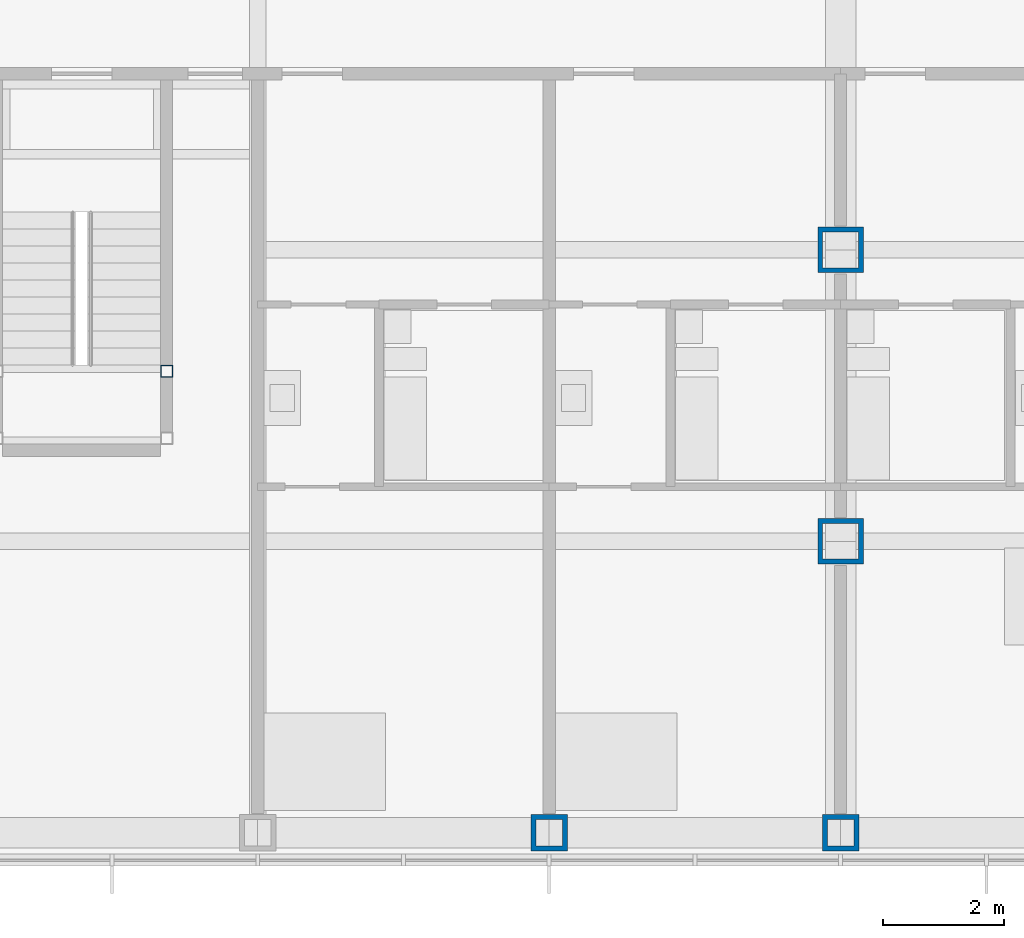
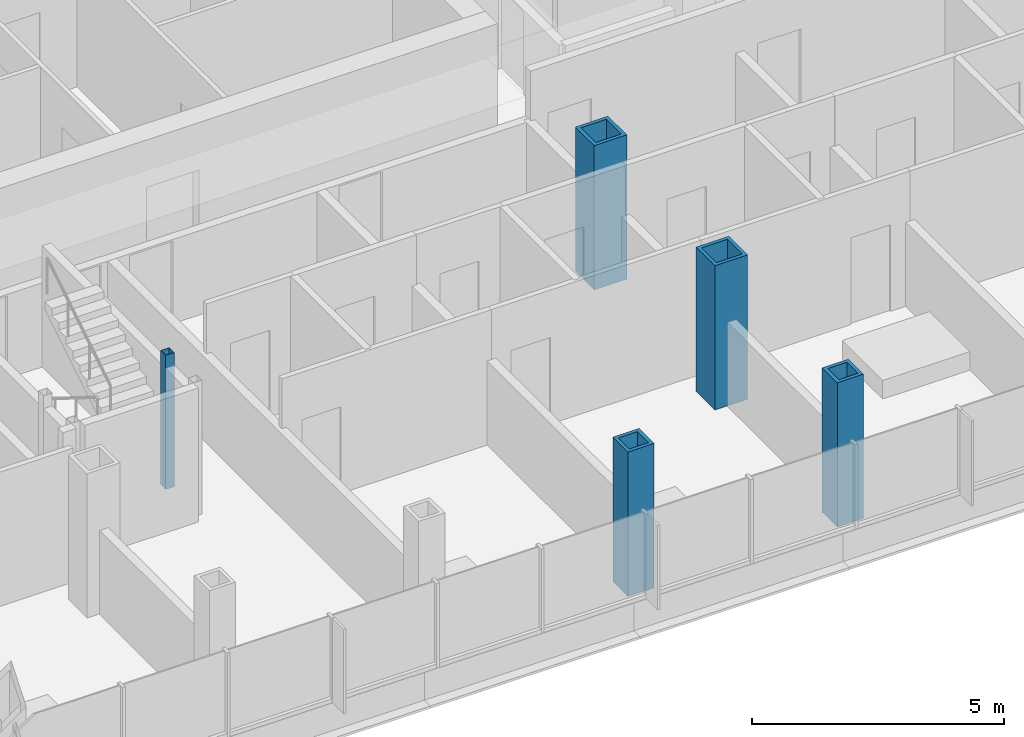
# One storey, part 2 of 22: 5 columns.
"""IFC4 building model written with IfcOpenShell, lengths in metres."""

from ifc_helpers import new_model, si_unit, direction, frame, origin, origin_2d, place, context, subcontext, project, spatial, hollow_rectangle, extrude, material, material_profile, profile_set, type_object, element, save


model = new_model("IFC4")

# Units and contexts
model_context = context("Model", 3, precision=1e-05, world=origin(), true_north=direction((0.0, 1.0)))
body_context = subcontext(model_context, "Body", "Model", "MODEL_VIEW")
ifc_project = project(units=[si_unit("LENGTHUNIT", "METRE"), si_unit("AREAUNIT", "SQUARE_METRE"), si_unit("VOLUMEUNIT", "CUBIC_METRE"), si_unit("PLANEANGLEUNIT", "RADIAN"), si_unit("MASSUNIT", "GRAM", prefix="KILO")], contexts=[model_context])

# Site, building, storey
site_placement = place(None, origin())
site = spatial("IfcSite", under=ifc_project, at=site_placement, CompositionType="ELEMENT")
building_placement = place(site_placement, origin())
building = spatial("IfcBuilding", under=site, at=building_placement, Name="Kvirike Care Tower", CompositionType="ELEMENT")
storey_placement = place(building_placement, frame((0.0, 0.0, 76.0)))
storey = spatial("IfcBuildingStorey", under=building, at=storey_placement, Name="L20", CompositionType="ELEMENT", Elevation=76.0)

# Columns
ifc_material_1 = material(Name="Steel S460", Category="steel")
ifc_material_profile_1 = material_profile(ifc_material_1, hollow_rectangle(XDim=0.60009765625, YDim=0.60009765625, WallThickness=0.080078125, at=origin_2d()), Name="BX 600x600x80")
ifc_profile_set_1 = profile_set([ifc_material_profile_1], Name="Steel S460")
column_type_1 = type_object("IfcColumnType", Name="COLUMN BX 600x600x80", PredefinedType="COLUMN", material=ifc_profile_set_1)
for number, where, z_axis, x_axis, name in (
    (1, (24.0, 14.39990234375, 0.0), (0.0, 0.0, 1.0), (0.0, 1.0, 0.0), "Column D8 L20"),
    (2, (28.800048828125, 14.39990234375, 0.0), (0.0, 0.0, 1.0), (0.0, 1.0, 0.0), "Column D9 L20"),
):
    element("IfcColumn", number, at=place(storey_placement, frame(where, z_axis=z_axis, x_axis=x_axis)), inside=storey, type_object=column_type_1, Name=name, PredefinedType="COLUMN", context=body_context, shape_type="SweptSolid", body=[
        extrude(hollow_rectangle(XDim=0.60009765625, YDim=0.60009765625, WallThickness=0.080078125, at=origin_2d()), origin(), (0.0, 0.0, 1.0), 3.5),
    ])
ifc_material_2 = material(Name="Steel S460", Category="steel")
ifc_material_profile_2 = material_profile(ifc_material_2, hollow_rectangle(XDim=0.75, YDim=0.75, WallThickness=0.080078125, at=origin_2d()), Name="BX 750x750x80")
ifc_profile_set_2 = profile_set([ifc_material_profile_2], Name="Steel S460")
column_type_2 = type_object("IfcColumnType", Name="COLUMN BX 750x750x80", PredefinedType="COLUMN", material=ifc_profile_set_2)
for number, where, z_axis, x_axis, name in (
    (3, (28.800048828125, 19.199951171875, 0.0), (0.0, 0.0, 1.0), (1.0, 0.0, 0.0), "Column E9 L20"),
    (4, (28.800048828125, 24.0, 0.0), (0.0, 0.0, 1.0), (1.0, 0.0, 0.0), "Column F9 L20"),
):
    element("IfcColumn", number, at=place(storey_placement, frame(where, z_axis=z_axis, x_axis=x_axis)), inside=storey, type_object=column_type_2, Name=name, PredefinedType="COLUMN", context=body_context, shape_type="SweptSolid", body=[
        extrude(hollow_rectangle(XDim=0.75, YDim=0.75, WallThickness=0.080078125, at=origin_2d()), origin(), (0.0, 0.0, 1.0), 3.5),
    ])
ifc_material_3 = material(Name="Steel S460", Category="steel")
ifc_material_profile_3 = material_profile(ifc_material_3, hollow_rectangle(XDim=0.199951171875, YDim=0.199951171875, WallThickness=0.008056640625, at=origin_2d()), Name="SHS 200x200x8")
ifc_profile_set_3 = profile_set([ifc_material_profile_3], Name="Steel S460")
column_type_3 = type_object("IfcColumnType", Name="STAIR POST SHS 200x200x8", PredefinedType="COLUMN", material=ifc_profile_set_3)
column_placement = place(storey_placement, frame((17.699951171875, 22.0, 0.0), z_axis=(0.0, 0.0, 1.0), x_axis=(1.0, 0.0, 0.0)))
element("IfcColumn", 5, at=column_placement, inside=storey, type_object=column_type_3, Name="Stair 5 post 4 L20", PredefinedType="COLUMN", context=body_context, shape_type="SweptSolid", body=[
    extrude(hollow_rectangle(XDim=0.199951171875, YDim=0.199951171875, WallThickness=0.008056640625, at=origin_2d()), origin(), (0.0, 0.0, 1.0), 3.25),
])

save(model, "model.ifc")
